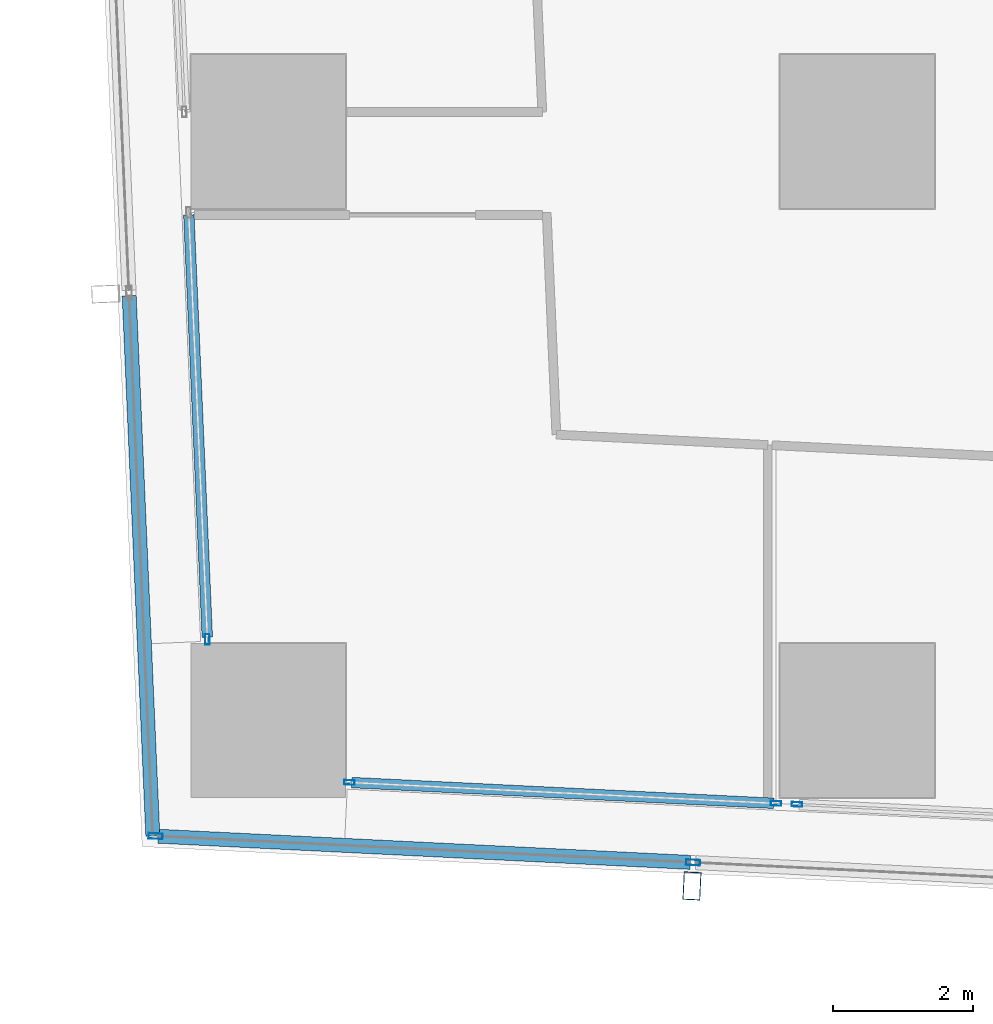
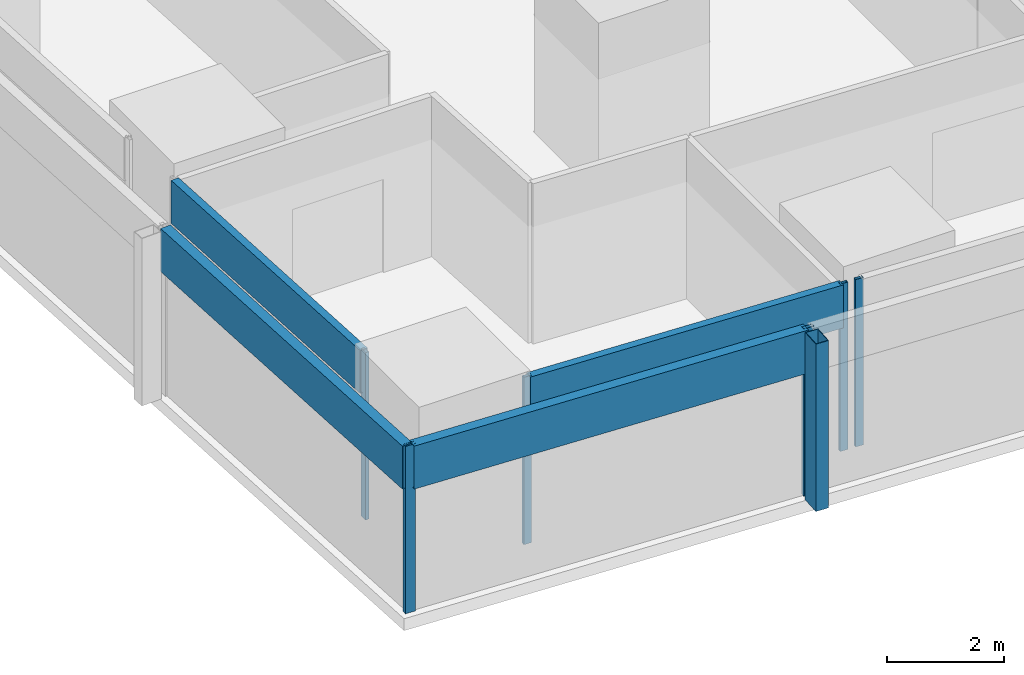
# One storey, part 2 of 44: 11 members, 5 elements without a shape of their own.
"""IFC4 building model written with IfcOpenShell, lengths in metres."""

from ifc_helpers import new_model, si_unit, direction, frame, origin, origin_2d, place, context, subcontext, project, spatial, hollow_rectangle, extrude, material, material_profile, profile_set, type_object, element, aggregate, save


model = new_model("IFC4")

# Units and contexts
model_context = context("Model", 3, precision=1e-05, world=origin(), true_north=direction((0.0, 1.0)))
body_context = subcontext(model_context, "Body", "Model", "MODEL_VIEW")
ifc_project = project(units=[si_unit("LENGTHUNIT", "METRE"), si_unit("AREAUNIT", "SQUARE_METRE"), si_unit("VOLUMEUNIT", "CUBIC_METRE"), si_unit("PLANEANGLEUNIT", "RADIAN"), si_unit("MASSUNIT", "GRAM", prefix="KILO")], contexts=[model_context])

# Site, building, storey
site_placement = place(None, origin())
site = spatial("IfcSite", under=ifc_project, at=site_placement, CompositionType="ELEMENT")
building_placement = place(site_placement, origin())
building = spatial("IfcBuilding", under=site, at=building_placement, Name="Rekha Terrace Tower", CompositionType="ELEMENT")
storey_placement = place(building_placement, frame((0.0, 0.0, 62.89990234375)))
storey = spatial("IfcBuildingStorey", under=building, at=storey_placement, Name="L15", CompositionType="ELEMENT", Elevation=62.89990234375)

# Curtain wall, member
ifc_material_1 = material(Name="Aluminium framing", Category="aluminium")
curtain_wall_type_1 = type_object("IfcCurtainWallType", Name="CW2 double skin outer glazing", PredefinedType="USERDEFINED", material=ifc_material_1)
curtain_wall_1_placement = place(storey_placement, origin())
curtain_wall_1 = element("IfcCurtainWall", 1, at=curtain_wall_1_placement, inside=storey, type_object=curtain_wall_type_1, Name="CW2 double skin outer glazing", ObjectType="DOUBLE SKIN OUTER GLAZING", PredefinedType="USERDEFINED")
ifc_material_2 = material(Name="Steel S355 with fluorocarbon finish", Category="steel")
ifc_material_profile_1 = material_profile(ifc_material_2, hollow_rectangle(XDim=0.25, YDim=0.39990234375, WallThickness=0.012451171875, at=origin_2d()), Name="RHS400x250x12.5")
ifc_profile_set_1 = profile_set([ifc_material_profile_1], Name="Steel S355 with fluorocarbon finish")
member_type_1 = type_object("IfcMemberType", Name="BL1 facade blade RHS 400 x 250", PredefinedType="USERDEFINED", material=ifc_profile_set_1)
member_1_placement = place(storey_placement, frame((14.443603515625, 6.03955078125, 0.0), z_axis=(0.0, 0.0, 1.0), x_axis=(0.998796226835, -0.049051985279, 0.0)))
member_1 = element("IfcMember", 2, at=member_1_placement, type_object=member_type_1, Name="Facade blade", ObjectType="FACADE BLADE", PredefinedType="USERDEFINED", context=body_context, shape_type="SweptSolid", body=[
    extrude(hollow_rectangle(XDim=0.25, YDim=0.39990234375, WallThickness=0.012451171875, at=origin_2d()), origin(), (0.0, 0.0, 1.0), 3.5),
])

# Curtain wall, members
curtain_wall_type_2 = type_object("IfcCurtainWallType", Name="CW1 double skin inner glazing", PredefinedType="USERDEFINED", material=ifc_material_1)
curtain_wall_2_placement = place(storey_placement, origin())
curtain_wall_2 = element("IfcCurtainWall", 3, at=curtain_wall_2_placement, inside=storey, type_object=curtain_wall_type_2, Name="CW1 double skin inner glazing", ObjectType="DOUBLE SKIN INNER GLAZING", PredefinedType="USERDEFINED")
ifc_material_3 = material(Name="Aluminium mullion section", Category="aluminium")
ifc_material_profile_2 = material_profile(ifc_material_3, hollow_rectangle(XDim=0.06494140625, YDim=0.14990234375, WallThickness=0.00390625, at=origin_2d()), Name="AL RHS 65x150")
ifc_profile_set_2 = profile_set([ifc_material_profile_2], Name="Aluminium mullion section")
member_type_2 = type_object("IfcMemberType", Name="CW1 mullion RHS 65 x 150", PredefinedType="MULLION", material=ifc_profile_set_2)
member_2_placement = place(storey_placement, frame((9.55712890625, 7.51611328125, 0.0), z_axis=(0.0, 0.0, 1.0), x_axis=(0.049051717693, 0.998796239977, 0.0)))
member_2 = element("IfcMember", 4, at=member_2_placement, type_object=member_type_2, Name="CW1 mullion 1", PredefinedType="MULLION", context=body_context, shape_type="SweptSolid", body=[
    extrude(hollow_rectangle(XDim=0.06494140625, YDim=0.14990234375, WallThickness=0.00390625, at=origin_2d()), origin(), (0.0, 0.0, 1.0), 3.5),
])
member_3_placement = place(storey_placement, frame((15.642822265625, 7.21728515625, 0.0), z_axis=(0.0, 0.0, 1.0), x_axis=(0.049051717693, 0.998796239977, 0.0)))
member_3 = element("IfcMember", 5, at=member_3_placement, type_object=member_type_2, Name="CW1 mullion 2", PredefinedType="MULLION", context=body_context, shape_type="SweptSolid", body=[
    extrude(hollow_rectangle(XDim=0.06494140625, YDim=0.14990234375, WallThickness=0.00390625, at=origin_2d()), origin(), (0.0, 0.0, 1.0), 3.5),
])

# Curtain wall, member
curtain_wall_3_placement = place(storey_placement, origin())
curtain_wall_3 = element("IfcCurtainWall", 6, at=curtain_wall_3_placement, inside=storey, type_object=curtain_wall_type_2, Name="CW1 double skin inner glazing", ObjectType="DOUBLE SKIN INNER GLAZING", PredefinedType="USERDEFINED")
member_4_placement = place(storey_placement, frame((15.94091796875, 7.20263671875, 0.0), z_axis=(0.0, 0.0, 1.0), x_axis=(0.049051717746, 0.998796239974, 0.0)))
member_4 = element("IfcMember", 7, at=member_4_placement, type_object=member_type_2, Name="CW1 mullion 1", PredefinedType="MULLION", context=body_context, shape_type="SweptSolid", body=[
    extrude(hollow_rectangle(XDim=0.06494140625, YDim=0.14990234375, WallThickness=0.00390625, at=origin_2d()), origin(), (0.0, 0.0, 1.0), 3.5),
])
aggregate(curtain_wall_3, [member_4])

curtain_wall_4_placement = place(storey_placement, origin())
curtain_wall_4 = element("IfcCurtainWall", 8, at=curtain_wall_4_placement, inside=storey, type_object=curtain_wall_type_2, Name="CW1 double skin inner glazing", ObjectType="DOUBLE SKIN INNER GLAZING", PredefinedType="USERDEFINED")
member_5_placement = place(storey_placement, frame((7.53173828125, 9.556640625, 0.0), z_axis=(0.0, 0.0, 1.0), x_axis=(0.999045462129, 0.043682543424, 0.0)))
member_5 = element("IfcMember", 9, at=member_5_placement, type_object=member_type_2, Name="CW1 mullion 2", PredefinedType="MULLION", context=body_context, shape_type="SweptSolid", body=[
    extrude(hollow_rectangle(XDim=0.06494140625, YDim=0.14990234375, WallThickness=0.00390625, at=origin_2d()), origin(), (0.0, 0.0, 1.0), 3.5),
])

# Member
ifc_material_4 = material(Name="Insulated aluminium spandrel box", Category="aluminium")
ifc_material_profile_3 = material_profile(ifc_material_4, hollow_rectangle(XDim=0.14990234375, YDim=0.89990234375, WallThickness=0.0029296875, at=origin_2d()), Name="AL SPANDREL BOX 150x900")
ifc_profile_set_3 = profile_set([ifc_material_profile_3], Name="Insulated aluminium spandrel box")
member_type_3 = type_object("IfcMemberType", Name="CW1 spandrel transom 150 x 900", PredefinedType="USERDEFINED", material=ifc_profile_set_3)
member_6_placement = place(storey_placement, frame((9.589599609375, 7.514404296875, 3.050048828125), z_axis=(0.99879648266, -0.049046775901, 0.0), x_axis=(0.049046775901, 0.99879648266, 0.0)))
member_6 = element("IfcMember", 10, at=member_6_placement, type_object=member_type_3, Name="CW1 spandrel transom 1", ObjectType="TRANSOM", PredefinedType="USERDEFINED", context=body_context, shape_type="SweptSolid", body=[
    extrude(hollow_rectangle(XDim=0.14990234375, YDim=0.89990234375, WallThickness=0.0029296875, at=origin_2d()), origin(), (0.0, 0.0, 1.0), 6.028076171875),
])

aggregate(curtain_wall_2, [member_2, member_3, member_6])

member_7_placement = place(storey_placement, frame((7.26708984375, 15.61083984375, 3.050048828125), z_axis=(0.043663972565, -0.999046273953, 0.0), x_axis=(0.999046273953, 0.043663972565, 0.0)))
member_7 = element("IfcMember", 11, at=member_7_placement, type_object=member_type_3, Name="CW1 spandrel transom 1", ObjectType="TRANSOM", PredefinedType="USERDEFINED", context=body_context, shape_type="SweptSolid", body=[
    extrude(hollow_rectangle(XDim=0.14990234375, YDim=0.89990234375, WallThickness=0.0029296875, at=origin_2d()), origin(), (0.0, 0.0, 1.0), 6.027587890625),
])

aggregate(curtain_wall_4, [member_5, member_7])

ifc_material_profile_4 = material_profile(ifc_material_3, hollow_rectangle(XDim=0.080078125, YDim=0.199951171875, WallThickness=0.00390625, at=origin_2d()), Name="AL RHS 80x200")
ifc_profile_set_4 = profile_set([ifc_material_profile_4], Name="Aluminium mullion section")
member_type_4 = type_object("IfcMemberType", Name="CW2 mullion RHS 80 x 200", PredefinedType="MULLION", material=ifc_profile_set_4)
member_8_placement = place(storey_placement, frame((6.79345703125, 6.750732421875, 0.0), z_axis=(0.0, 0.0, 1.0), x_axis=(0.049051717746, 0.998796239974, 0.0)))
member_8 = element("IfcMember", 12, at=member_8_placement, type_object=member_type_4, Name="CW2 mullion 1", PredefinedType="MULLION", context=body_context, shape_type="SweptSolid", body=[
    extrude(hollow_rectangle(XDim=0.080078125, YDim=0.199951171875, WallThickness=0.00390625, at=origin_2d()), origin(), (0.0, 0.0, 1.0), 3.5),
])

member_9_placement = place(storey_placement, frame((14.4599609375, 6.374267578125, 0.0), z_axis=(0.0, 0.0, 1.0), x_axis=(0.049051717746, 0.998796239974, 0.0)))
member_9 = element("IfcMember", 13, at=member_9_placement, type_object=member_type_4, Name="CW2 mullion 2", PredefinedType="MULLION", context=body_context, shape_type="SweptSolid", body=[
    extrude(hollow_rectangle(XDim=0.080078125, YDim=0.199951171875, WallThickness=0.00390625, at=origin_2d()), origin(), (0.0, 0.0, 1.0), 3.5),
])

ifc_material_profile_5 = material_profile(ifc_material_4, hollow_rectangle(XDim=0.199951171875, YDim=0.89990234375, WallThickness=0.0029296875, at=origin_2d()), Name="AL SPANDREL BOX 200x900")
ifc_profile_set_5 = profile_set([ifc_material_profile_5], Name="Insulated aluminium spandrel box")
member_type_5 = type_object("IfcMemberType", Name="CW2 spandrel transom 200 x 900", PredefinedType="USERDEFINED", material=ifc_profile_set_5)
member_10_placement = place(storey_placement, frame((6.83349609375, 6.748779296875, 3.050048828125), z_axis=(0.99879635036, -0.049049469996, 0.0), x_axis=(0.049049469996, 0.99879635036, 0.0)))
member_10 = element("IfcMember", 14, at=member_10_placement, type_object=member_type_5, Name="CW2 spandrel transom 1", ObjectType="TRANSOM", PredefinedType="USERDEFINED", context=body_context, shape_type="SweptSolid", body=[
    extrude(hollow_rectangle(XDim=0.199951171875, YDim=0.89990234375, WallThickness=0.0029296875, at=origin_2d()), origin(), (0.0, 0.0, 1.0), 7.595458984375),
])

aggregate(curtain_wall_1, [member_8, member_9, member_10, member_1])

# Curtain wall, member
curtain_wall_5_placement = place(storey_placement, origin())
curtain_wall_5 = element("IfcCurtainWall", 15, at=curtain_wall_5_placement, inside=storey, type_object=curtain_wall_type_1, Name="CW2 double skin outer glazing", ObjectType="DOUBLE SKIN OUTER GLAZING", PredefinedType="USERDEFINED")
member_11_placement = place(storey_placement, frame((6.41650390625, 14.45703125, 3.050048828125), z_axis=(0.043688638652, -0.999045195601, 0.0), x_axis=(0.999045195601, 0.043688638652, 0.0)))
member_11 = element("IfcMember", 16, at=member_11_placement, type_object=member_type_5, Name="CW2 spandrel transom 5", ObjectType="TRANSOM", PredefinedType="USERDEFINED", context=body_context, shape_type="SweptSolid", body=[
    extrude(hollow_rectangle(XDim=0.199951171875, YDim=0.89990234375, WallThickness=0.0029296875, at=origin_2d()), origin(), (0.0, 0.0, 1.0), 7.711669921875),
])
aggregate(curtain_wall_5, [member_11])

save(model, "model.ifc")
